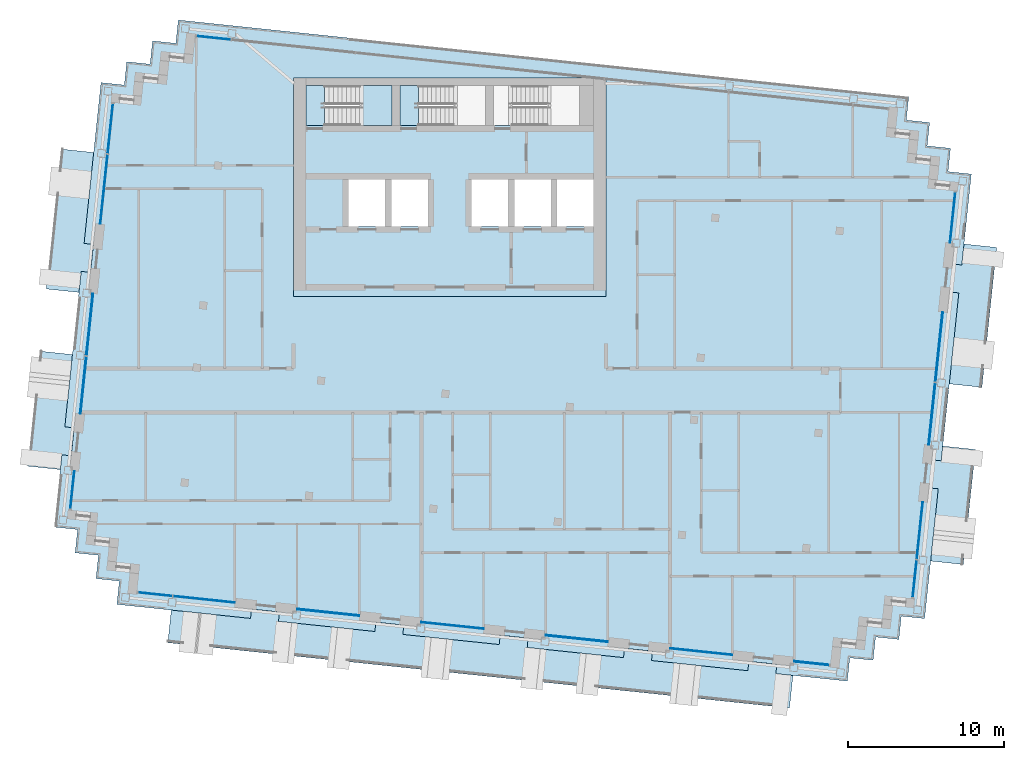
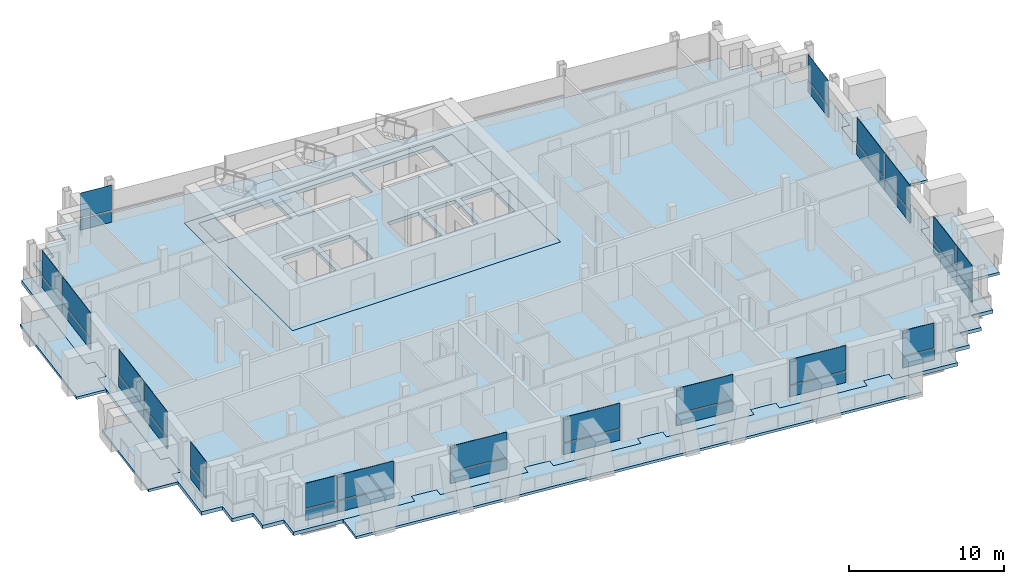
# One storey, part 7 of 17: 36 plates, 10 slabs, 14 elements without a shape of their own.
"""IFC4 building model written with IfcOpenShell, lengths in metres."""

from ifc_helpers import new_model, si_unit, direction, frame, origin, origin_2d, place, context, subcontext, project, spatial, polyline, rectangle, outline, extrude, material, layer, layer_set, type_object, element, aggregate, save


model = new_model("IFC4")

# Units and contexts
model_context = context("Model", 3, precision=1e-05, world=origin(), true_north=direction((0.0, 1.0)))
body_context = subcontext(model_context, "Body", "Model", "MODEL_VIEW")
ifc_project = project(units=[si_unit("LENGTHUNIT", "METRE"), si_unit("AREAUNIT", "SQUARE_METRE"), si_unit("VOLUMEUNIT", "CUBIC_METRE"), si_unit("PLANEANGLEUNIT", "RADIAN"), si_unit("MASSUNIT", "GRAM", prefix="KILO")], contexts=[model_context])

# Site, building, storey
site_placement = place(None, origin())
site = spatial("IfcSite", under=ifc_project, at=site_placement, CompositionType="ELEMENT")
building_placement = place(site_placement, origin())
building = spatial("IfcBuilding", under=site, at=building_placement, Name="Vidyagriha Tower", CompositionType="ELEMENT")
storey_placement = place(building_placement, frame((0.0, 0.0, 265.89990234375)))
storey = spatial("IfcBuildingStorey", under=building, at=storey_placement, Name="L69", CompositionType="ELEMENT", Elevation=265.89990234375)

# Curtain wall, plate
ifc_material_1 = material(Name="Aluminium and glass curtain wall", Category="aluminium")
curtain_wall_type = type_object("IfcCurtainWallType", Name="Dwelling skin unitised curtain wall", PredefinedType="USERDEFINED", material=ifc_material_1)
curtain_wall_1_placement = place(storey_placement, origin())
curtain_wall_1 = element("IfcCurtainWall", 1, at=curtain_wall_1_placement, inside=storey, type_object=curtain_wall_type, Name="CW1 dwelling skin", ObjectType="UNITISED", PredefinedType="USERDEFINED")
ifc_material_2 = material(Name="Glass dark ceramic-fritted spandrel", Category="glass")
ifc_layer_1 = layer(ifc_material_2, 0.0400390625)
ifc_layer_set_1 = layer_set([ifc_layer_1], Name="Glass dark ceramic-fritted spandrel")
plate_type_1 = type_object("IfcPlateType", Name="Ceramic-fritted spandrel panel", PredefinedType="CURTAIN_PANEL", material=ifc_layer_set_1)
plate_1_placement = place(storey_placement, frame((-15.11083984375, 22.56396484375, 0.0), z_axis=(0.0, 0.0, 1.0), x_axis=(-0.994521854435, 0.104528852722, 0.0)))
plate_1 = element("IfcPlate", 2, at=plate_1_placement, type_object=plate_type_1, Name="CW1 panel 7.1", PredefinedType="CURTAIN_PANEL", context=body_context, shape_type="SweptSolid", body=[
    extrude(rectangle(XDim=2.195068359375, YDim=0.0400390625, at=origin_2d()), origin(), (0.0, 0.0, 1.0), 0.85009765625),
])

# Curtain wall, plates
curtain_wall_2_placement = place(storey_placement, origin())
curtain_wall_2 = element("IfcCurtainWall", 3, at=curtain_wall_2_placement, inside=storey, type_object=curtain_wall_type, Name="CW1 dwelling skin", ObjectType="UNITISED", PredefinedType="USERDEFINED")
plate_2_placement = place(storey_placement, frame((-21.7216796875, 16.755615234375, 0.0), z_axis=(0.0, 0.0, 1.0), x_axis=(-0.104525282489, -0.994522229676, 0.0)))
plate_2 = element("IfcPlate", 4, at=plate_2_placement, type_object=plate_type_1, Name="CW1 panel 1.1", PredefinedType="CURTAIN_PANEL", context=body_context, shape_type="SweptSolid", body=[
    extrude(rectangle(XDim=3.195068359375, YDim=0.0400390625, at=origin_2d()), origin(), (0.0, 0.0, 1.0), 0.85009765625),
])
plate_3_placement = place(storey_placement, frame((-22.12939453125, 12.876953125, 0.0), z_axis=(0.0, 0.0, 1.0), x_axis=(-0.104525282489, -0.994522229676, 0.0)))
plate_3 = element("IfcPlate", 5, at=plate_3_placement, type_object=plate_type_1, Name="CW1 panel 2.1", PredefinedType="CURTAIN_PANEL", context=body_context, shape_type="SweptSolid", body=[
    extrude(rectangle(XDim=4.465087890625, YDim=0.0400390625, at=origin_2d()), origin(), (0.0, 0.0, 1.0), 0.85009765625),
])

# Curtain wall, plate
curtain_wall_3_placement = place(storey_placement, origin())
curtain_wall_3 = element("IfcCurtainWall", 6, at=curtain_wall_3_placement, inside=storey, type_object=curtain_wall_type, Name="CW1 dwelling skin", ObjectType="UNITISED", PredefinedType="USERDEFINED")
plate_4_placement = place(storey_placement, frame((-24.151611328125, -6.364501953125, 0.0), z_axis=(0.0, 0.0, 1.0), x_axis=(-0.10451613172, -0.994523191389, 0.0)))
plate_4 = element("IfcPlate", 7, at=plate_4_placement, type_object=plate_type_1, Name="CW1 panel 1.1", PredefinedType="CURTAIN_PANEL", context=body_context, shape_type="SweptSolid", body=[
    extrude(rectangle(XDim=2.43017578125, YDim=0.0400390625, at=origin_2d()), origin(), (0.0, 0.0, 1.0), 0.85009765625),
])

# Curtain wall, plates
curtain_wall_4_placement = place(storey_placement, origin())
curtain_wall_4 = element("IfcCurtainWall", 8, at=curtain_wall_4_placement, inside=storey, type_object=curtain_wall_type, Name="CW1 dwelling skin", ObjectType="UNITISED", PredefinedType="USERDEFINED")
plate_5_placement = place(storey_placement, frame((-18.852783203125, -13.0400390625, 0.0), z_axis=(0.0, 0.0, 1.0), x_axis=(0.994522400055, -0.104523661385, 0.0)))
plate_5 = element("IfcPlate", 9, at=plate_5_placement, type_object=plate_type_1, Name="CW1 panel 1.1", PredefinedType="CURTAIN_PANEL", context=body_context, shape_type="SweptSolid", body=[
    extrude(rectangle(XDim=2.195068359375, YDim=0.0400390625, at=origin_2d()), origin(), (0.0, 0.0, 1.0), 0.85009765625),
])
plate_6_placement = place(storey_placement, frame((-15.72021484375, -13.369384765625, 0.0), z_axis=(0.0, 0.0, 1.0), x_axis=(0.994522400055, -0.104523661385, 0.0)))
plate_6 = element("IfcPlate", 10, at=plate_6_placement, type_object=plate_type_1, Name="CW1 panel 2.1", PredefinedType="CURTAIN_PANEL", context=body_context, shape_type="SweptSolid", body=[
    extrude(rectangle(XDim=3.965087890625, YDim=0.0400390625, at=origin_2d()), origin(), (0.0, 0.0, 1.0), 0.85009765625),
])

# Curtain wall, plate
curtain_wall_5_placement = place(storey_placement, origin())
curtain_wall_5 = element("IfcCurtainWall", 11, at=curtain_wall_5_placement, inside=storey, type_object=curtain_wall_type, Name="CW1 dwelling skin", ObjectType="UNITISED", PredefinedType="USERDEFINED")
plate_7_placement = place(storey_placement, frame((0.1748046875, -15.039794921875, 0.0), z_axis=(0.0, 0.0, 1.0), x_axis=(0.994522016164, -0.104527313963, 0.0)))
plate_7 = element("IfcPlate", 12, at=plate_7_placement, type_object=plate_type_1, Name="CW1 panel 1.1", PredefinedType="CURTAIN_PANEL", context=body_context, shape_type="SweptSolid", body=[
    extrude(rectangle(XDim=4.0, YDim=0.0400390625, at=origin_2d()), origin(), (0.0, 0.0, 1.0), 0.85009765625),
])

curtain_wall_6_placement = place(storey_placement, origin())
curtain_wall_6 = element("IfcCurtainWall", 13, at=curtain_wall_6_placement, inside=storey, type_object=curtain_wall_type, Name="CW1 dwelling skin", ObjectType="UNITISED", PredefinedType="USERDEFINED")
plate_8_placement = place(storey_placement, frame((16.087158203125, -16.71240234375, 0.0), z_axis=(0.0, 0.0, 1.0), x_axis=(0.994522289309, -0.104524715101, 0.0)))
plate_8 = element("IfcPlate", 14, at=plate_8_placement, type_object=plate_type_1, Name="CW1 panel 1.1", PredefinedType="CURTAIN_PANEL", context=body_context, shape_type="SweptSolid", body=[
    extrude(rectangle(XDim=4.0, YDim=0.0400390625, at=origin_2d()), origin(), (0.0, 0.0, 1.0), 0.85009765625),
])

# Curtain wall, plates
curtain_wall_7_placement = place(storey_placement, origin())
curtain_wall_7 = element("IfcCurtainWall", 15, at=curtain_wall_7_placement, inside=storey, type_object=curtain_wall_type, Name="CW1 dwelling skin", ObjectType="UNITISED", PredefinedType="USERDEFINED")
plate_9_placement = place(storey_placement, frame((29.74951171875, -12.04736328125, 0.0), z_axis=(0.0, 0.0, 1.0), x_axis=(0.10453281607, 0.994521437861, 0.0)))
plate_9 = element("IfcPlate", 16, at=plate_9_placement, type_object=plate_type_1, Name="CW1 panel 1.1", PredefinedType="CURTAIN_PANEL", context=body_context, shape_type="SweptSolid", body=[
    extrude(rectangle(XDim=2.39501953125, YDim=0.0400390625, at=origin_2d()), origin(), (0.0, 0.0, 1.0), 0.85009765625),
])
plate_10_placement = place(storey_placement, frame((30.073486328125, -8.96435546875, 0.0), z_axis=(0.0, 0.0, 1.0), x_axis=(0.10453281607, 0.994521437861, 0.0)))
plate_10 = element("IfcPlate", 17, at=plate_10_placement, type_object=plate_type_1, Name="CW1 panel 2.1", PredefinedType="CURTAIN_PANEL", context=body_context, shape_type="SweptSolid", body=[
    extrude(rectangle(XDim=3.6650390625, YDim=0.0400390625, at=origin_2d()), origin(), (0.0, 0.0, 1.0), 0.85009765625),
])

# Curtain wall, plate
curtain_wall_8_placement = place(storey_placement, origin())
curtain_wall_8 = element("IfcCurtainWall", 18, at=curtain_wall_8_placement, inside=storey, type_object=curtain_wall_type, Name="CW1 dwelling skin", ObjectType="UNITISED", PredefinedType="USERDEFINED")
plate_11_placement = place(storey_placement, frame((32.1796875, 11.07275390625, 0.0), z_axis=(0.0, 0.0, 1.0), x_axis=(0.10451599791, 0.994523205451, 0.0)))
plate_11 = element("IfcPlate", 19, at=plate_11_placement, type_object=plate_type_1, Name="CW1 panel 1.1", PredefinedType="CURTAIN_PANEL", context=body_context, shape_type="SweptSolid", body=[
    extrude(rectangle(XDim=3.22998046875, YDim=0.0400390625, at=origin_2d()), origin(), (0.0, 0.0, 1.0), 0.85009765625),
])

# Slab
ifc_material_3 = material(Name="Concrete C60/75", Category="concrete")
ifc_layer_2 = layer(ifc_material_3, 0.280029296875)
ifc_layer_set_2 = layer_set([ifc_layer_2], Name="Concrete C60/75")
slab_type_1 = type_object("IfcSlabType", Name="Core floor slab 280 mm", PredefinedType="FLOOR", material=ifc_layer_set_2)
slab_1_placement = place(storey_placement, frame((0.0, 0.0, -0.27978515625)))
element("IfcSlab", 20, at=slab_1_placement, inside=storey, type_object=slab_type_1, Name="L69 core floor 1", PredefinedType="FLOOR", context=body_context, shape_type="SweptSolid", body=[
    extrude(outline(polyline([(-10.0, 6.0), (-10.0, 20.0), (10.0, 20.0), (10.0, 6.0), (-10.0, 6.0)]), holes=[polyline([(6.86669921875, 13.5), (6.86669921875, 10.5), (9.199951171875, 10.5), (9.199951171875, 13.5), (6.86669921875, 13.5)]), polyline([(4.0, 19.5), (2.800048828125, 19.5), (2.800048828125, 16.949951171875), (4.0, 16.949951171875), (8.300048828125, 16.949951171875), (8.300048828125, 19.5), (4.0, 19.5)]), polyline([(6.466796875, 13.5), (4.13330078125, 13.5), (4.13330078125, 10.5), (6.466796875, 10.5), (6.466796875, 13.5)]), polyline([(3.7333984375, 13.5), (1.39990234375, 13.5), (1.39990234375, 10.5), (3.7333984375, 10.5), (3.7333984375, 13.5)]), polyline([(-2.0, 16.949951171875), (2.300048828125, 16.949951171875), (2.300048828125, 19.5), (-2.0, 19.5), (-3.199951171875, 19.5), (-3.199951171875, 16.949951171875), (-2.0, 16.949951171875)]), polyline([(-3.7333984375, 13.5), (-3.7333984375, 10.5), (-1.39990234375, 10.5), (-1.39990234375, 13.5), (-3.7333984375, 13.5)]), polyline([(-9.199951171875, 19.5), (-9.199951171875, 16.949951171875), (-8.0, 16.949951171875), (-3.699951171875, 16.949951171875), (-3.699951171875, 19.5), (-8.0, 19.5), (-9.199951171875, 19.5)]), polyline([(-6.466796875, 13.5), (-6.466796875, 10.5), (-4.13330078125, 10.5), (-4.13330078125, 13.5), (-6.466796875, 13.5)])]), origin(), (0.0, 0.0, 1.0), 0.27978515625),
])

# Plate
ifc_material_4 = material(Name="Glass dark ceramic-fritted", Category="glass")
ifc_layer_3 = layer(ifc_material_4, 0.028076171875)
ifc_layer_set_3 = layer_set([ifc_layer_3], Name="Glass dark ceramic-fritted")
plate_type_2 = type_object("IfcPlateType", Name="Dark ceramic-fritted vision glass panel", PredefinedType="CURTAIN_PANEL", material=ifc_layer_set_3)
plate_12_placement = place(storey_placement, frame((-15.11083984375, 22.56396484375, 0.9501953125), z_axis=(0.0, 0.0, 1.0), x_axis=(-0.994521854435, 0.104528852722, 0.0)))
plate_12 = element("IfcPlate", 21, at=plate_12_placement, type_object=plate_type_2, Name="CW1 panel 7.2", PredefinedType="CURTAIN_PANEL", context=body_context, shape_type="SweptSolid", body=[
    extrude(rectangle(XDim=2.195068359375, YDim=0.028076171875, at=origin_2d()), origin(), (0.0, 0.0, 1.0), 1.969970703125),
])

aggregate(curtain_wall_1, [plate_1, plate_12])

plate_13_placement = place(storey_placement, frame((-21.7216796875, 16.755615234375, 0.9501953125), z_axis=(0.0, 0.0, 1.0), x_axis=(-0.104525282489, -0.994522229676, 0.0)))
plate_13 = element("IfcPlate", 22, at=plate_13_placement, type_object=plate_type_2, Name="CW1 panel 1.2", PredefinedType="CURTAIN_PANEL", context=body_context, shape_type="SweptSolid", body=[
    extrude(rectangle(XDim=3.195068359375, YDim=0.028076171875, at=origin_2d()), origin(), (0.0, 0.0, 1.0), 1.969970703125),
])

plate_14_placement = place(storey_placement, frame((-22.12939453125, 12.876953125, 0.9501953125), z_axis=(0.0, 0.0, 1.0), x_axis=(-0.104525282489, -0.994522229676, 0.0)))
plate_14 = element("IfcPlate", 23, at=plate_14_placement, type_object=plate_type_2, Name="CW1 panel 2.2", PredefinedType="CURTAIN_PANEL", context=body_context, shape_type="SweptSolid", body=[
    extrude(rectangle(XDim=4.465087890625, YDim=0.028076171875, at=origin_2d()), origin(), (0.0, 0.0, 1.0), 1.969970703125),
])

aggregate(curtain_wall_2, [plate_2, plate_13, plate_3, plate_14])

# Curtain wall, plates
curtain_wall_9_placement = place(storey_placement, origin())
curtain_wall_9 = element("IfcCurtainWall", 24, at=curtain_wall_9_placement, inside=storey, type_object=curtain_wall_type, Name="CW1 dwelling skin", ObjectType="UNITISED", PredefinedType="USERDEFINED")
plate_15_placement = place(storey_placement, frame((-23.040283203125, 4.209716796875, 0.9501953125), z_axis=(0.0, 0.0, 1.0), x_axis=(-0.10453267483, -0.994521452706, 0.0)))
plate_15 = element("IfcPlate", 25, at=plate_15_placement, type_object=plate_type_2, Name="CW1 panel 1.2", PredefinedType="CURTAIN_PANEL", context=body_context, shape_type="SweptSolid", body=[
    extrude(rectangle(XDim=3.965087890625, YDim=0.028076171875, at=origin_2d()), origin(), (0.0, 0.0, 1.0), 1.969970703125),
])
plate_16_placement = place(storey_placement, frame((-23.4462890625, 0.345947265625, 0.9501953125), z_axis=(0.0, 0.0, 1.0), x_axis=(-0.10453267483, -0.994521452706, 0.0)))
plate_16 = element("IfcPlate", 26, at=plate_16_placement, type_object=plate_type_2, Name="CW1 panel 2.2", PredefinedType="CURTAIN_PANEL", context=body_context, shape_type="SweptSolid", body=[
    extrude(rectangle(XDim=3.6650390625, YDim=0.028076171875, at=origin_2d()), origin(), (0.0, 0.0, 1.0), 1.969970703125),
])

# Plate
plate_17_placement = place(storey_placement, frame((-24.151611328125, -6.364501953125, 0.9501953125), z_axis=(0.0, 0.0, 1.0), x_axis=(-0.10451613172, -0.994523191389, 0.0)))
plate_17 = element("IfcPlate", 27, at=plate_17_placement, type_object=plate_type_2, Name="CW1 panel 1.2", PredefinedType="CURTAIN_PANEL", context=body_context, shape_type="SweptSolid", body=[
    extrude(rectangle(XDim=2.43017578125, YDim=0.028076171875, at=origin_2d()), origin(), (0.0, 0.0, 1.0), 1.969970703125),
])

aggregate(curtain_wall_3, [plate_4, plate_17])

plate_18_placement = place(storey_placement, frame((-18.852783203125, -13.0400390625, 0.9501953125), z_axis=(0.0, 0.0, 1.0), x_axis=(0.994522400055, -0.104523661385, 0.0)))
plate_18 = element("IfcPlate", 28, at=plate_18_placement, type_object=plate_type_2, Name="CW1 panel 1.2", PredefinedType="CURTAIN_PANEL", context=body_context, shape_type="SweptSolid", body=[
    extrude(rectangle(XDim=2.195068359375, YDim=0.028076171875, at=origin_2d()), origin(), (0.0, 0.0, 1.0), 1.969970703125),
])

plate_19_placement = place(storey_placement, frame((-15.72021484375, -13.369384765625, 0.9501953125), z_axis=(0.0, 0.0, 1.0), x_axis=(0.994522400055, -0.104523661385, 0.0)))
plate_19 = element("IfcPlate", 29, at=plate_19_placement, type_object=plate_type_2, Name="CW1 panel 2.2", PredefinedType="CURTAIN_PANEL", context=body_context, shape_type="SweptSolid", body=[
    extrude(rectangle(XDim=3.965087890625, YDim=0.028076171875, at=origin_2d()), origin(), (0.0, 0.0, 1.0), 1.969970703125),
])

aggregate(curtain_wall_4, [plate_5, plate_18, plate_6, plate_19])

# Curtain wall, plate
curtain_wall_10_placement = place(storey_placement, origin())
curtain_wall_10 = element("IfcCurtainWall", 30, at=curtain_wall_10_placement, inside=storey, type_object=curtain_wall_type, Name="CW1 dwelling skin", ObjectType="UNITISED", PredefinedType="USERDEFINED")
plate_20_placement = place(storey_placement, frame((-7.78125, -14.20361328125, 0.9501953125), z_axis=(0.0, 0.0, 1.0), x_axis=(0.994519690211, -0.104549441808, 0.0)))
plate_20 = element("IfcPlate", 31, at=plate_20_placement, type_object=plate_type_2, Name="CW1 panel 1.2", PredefinedType="CURTAIN_PANEL", context=body_context, shape_type="SweptSolid", body=[
    extrude(rectangle(XDim=4.0, YDim=0.028076171875, at=origin_2d()), origin(), (0.0, 0.0, 1.0), 1.969970703125),
])

# Plate
plate_21_placement = place(storey_placement, frame((0.1748046875, -15.039794921875, 0.9501953125), z_axis=(0.0, 0.0, 1.0), x_axis=(0.994522016164, -0.104527313963, 0.0)))
plate_21 = element("IfcPlate", 32, at=plate_21_placement, type_object=plate_type_2, Name="CW1 panel 1.2", PredefinedType="CURTAIN_PANEL", context=body_context, shape_type="SweptSolid", body=[
    extrude(rectangle(XDim=4.0, YDim=0.028076171875, at=origin_2d()), origin(), (0.0, 0.0, 1.0), 1.969970703125),
])

aggregate(curtain_wall_5, [plate_7, plate_21])

# Curtain wall, plate
curtain_wall_11_placement = place(storey_placement, origin())
curtain_wall_11 = element("IfcCurtainWall", 33, at=curtain_wall_11_placement, inside=storey, type_object=curtain_wall_type, Name="CW1 dwelling skin", ObjectType="UNITISED", PredefinedType="USERDEFINED")
plate_22_placement = place(storey_placement, frame((8.131103515625, -15.876220703125, 0.9501953125), z_axis=(0.0, 0.0, 1.0), x_axis=(0.994522289309, -0.104524715101, 0.0)))
plate_22 = element("IfcPlate", 34, at=plate_22_placement, type_object=plate_type_2, Name="CW1 panel 1.2", PredefinedType="CURTAIN_PANEL", context=body_context, shape_type="SweptSolid", body=[
    extrude(rectangle(XDim=4.0, YDim=0.028076171875, at=origin_2d()), origin(), (0.0, 0.0, 1.0), 1.969970703125),
])

# Plate
plate_23_placement = place(storey_placement, frame((16.087158203125, -16.71240234375, 0.9501953125), z_axis=(0.0, 0.0, 1.0), x_axis=(0.994522289309, -0.104524715101, 0.0)))
plate_23 = element("IfcPlate", 35, at=plate_23_placement, type_object=plate_type_2, Name="CW1 panel 1.2", PredefinedType="CURTAIN_PANEL", context=body_context, shape_type="SweptSolid", body=[
    extrude(rectangle(XDim=4.0, YDim=0.028076171875, at=origin_2d()), origin(), (0.0, 0.0, 1.0), 1.969970703125),
])

aggregate(curtain_wall_6, [plate_8, plate_23])

# Curtain wall, plate
curtain_wall_12_placement = place(storey_placement, origin())
curtain_wall_12 = element("IfcCurtainWall", 36, at=curtain_wall_12_placement, inside=storey, type_object=curtain_wall_type, Name="CW1 dwelling skin", ObjectType="UNITISED", PredefinedType="USERDEFINED")
plate_24_placement = place(storey_placement, frame((23.1630859375, -17.4560546875, 0.9501953125), z_axis=(0.0, 0.0, 1.0), x_axis=(0.994522592653, -0.10452182883, 0.0)))
plate_24 = element("IfcPlate", 37, at=plate_24_placement, type_object=plate_type_2, Name="CW1 panel 1.2", PredefinedType="CURTAIN_PANEL", context=body_context, shape_type="SweptSolid", body=[
    extrude(rectangle(XDim=2.22998046875, YDim=0.028076171875, at=origin_2d()), origin(), (0.0, 0.0, 1.0), 1.969970703125),
])

# Plate
plate_25_placement = place(storey_placement, frame((29.74951171875, -12.04736328125, 0.9501953125), z_axis=(0.0, 0.0, 1.0), x_axis=(0.10453281607, 0.994521437861, 0.0)))
plate_25 = element("IfcPlate", 38, at=plate_25_placement, type_object=plate_type_2, Name="CW1 panel 1.2", PredefinedType="CURTAIN_PANEL", context=body_context, shape_type="SweptSolid", body=[
    extrude(rectangle(XDim=2.39501953125, YDim=0.028076171875, at=origin_2d()), origin(), (0.0, 0.0, 1.0), 1.969970703125),
])

plate_26_placement = place(storey_placement, frame((30.073486328125, -8.96435546875, 0.9501953125), z_axis=(0.0, 0.0, 1.0), x_axis=(0.10453281607, 0.994521437861, 0.0)))
plate_26 = element("IfcPlate", 39, at=plate_26_placement, type_object=plate_type_2, Name="CW1 panel 2.2", PredefinedType="CURTAIN_PANEL", context=body_context, shape_type="SweptSolid", body=[
    extrude(rectangle(XDim=3.6650390625, YDim=0.028076171875, at=origin_2d()), origin(), (0.0, 0.0, 1.0), 1.969970703125),
])

aggregate(curtain_wall_7, [plate_9, plate_25, plate_10, plate_26])

# Curtain wall, plates
curtain_wall_13_placement = place(storey_placement, origin())
curtain_wall_13 = element("IfcCurtainWall", 40, at=curtain_wall_13_placement, inside=storey, type_object=curtain_wall_type, Name="CW1 dwelling skin", ObjectType="UNITISED", PredefinedType="USERDEFINED")
plate_27_placement = place(storey_placement, frame((30.859130859375, -1.490478515625, 0.9501953125), z_axis=(0.0, 0.0, 1.0), x_axis=(0.104529843047, 0.994521750347, 0.0)))
plate_27 = element("IfcPlate", 41, at=plate_27_placement, type_object=plate_type_2, Name="CW1 panel 1.2", PredefinedType="CURTAIN_PANEL", context=body_context, shape_type="SweptSolid", body=[
    extrude(rectangle(XDim=3.965087890625, YDim=0.028076171875, at=origin_2d()), origin(), (0.0, 0.0, 1.0), 1.969970703125),
])
plate_28_placement = place(storey_placement, frame((31.306884765625, 2.77099609375, 0.9501953125), z_axis=(0.0, 0.0, 1.0), x_axis=(0.104529843047, 0.994521750347, 0.0)))
plate_28 = element("IfcPlate", 42, at=plate_28_placement, type_object=plate_type_2, Name="CW1 panel 2.2", PredefinedType="CURTAIN_PANEL", context=body_context, shape_type="SweptSolid", body=[
    extrude(rectangle(XDim=4.465087890625, YDim=0.028076171875, at=origin_2d()), origin(), (0.0, 0.0, 1.0), 1.969970703125),
])

# Plate
plate_29_placement = place(storey_placement, frame((32.1796875, 11.07275390625, 0.9501953125), z_axis=(0.0, 0.0, 1.0), x_axis=(0.10451599791, 0.994523205451, 0.0)))
plate_29 = element("IfcPlate", 43, at=plate_29_placement, type_object=plate_type_2, Name="CW1 panel 1.2", PredefinedType="CURTAIN_PANEL", context=body_context, shape_type="SweptSolid", body=[
    extrude(rectangle(XDim=3.22998046875, YDim=0.028076171875, at=origin_2d()), origin(), (0.0, 0.0, 1.0), 1.969970703125),
])

aggregate(curtain_wall_8, [plate_11, plate_29])

# Slabs
ifc_material_5 = material(Name="Concrete C40/50", Category="concrete")
ifc_layer_4 = layer(ifc_material_5, 0.280029296875)
ifc_layer_set_4 = layer_set([ifc_layer_4], Name="Concrete C40/50")
slab_type_2 = type_object("IfcSlabType", Name="Exit stair floor landing 280 mm", PredefinedType="LANDING", material=ifc_layer_set_4)
slab_2_placement = place(storey_placement, frame((0.0, 0.0, -0.27978515625)))
element("IfcSlab", 44, at=slab_2_placement, inside=storey, type_object=slab_type_2, Name="ST1 floor landing L69", PredefinedType="LANDING", context=body_context, shape_type="SweptSolid", body=[
    extrude(outline(polyline([(-9.199951171875, 16.949951171875), (-8.0, 16.949951171875), (-8.0, 19.5), (-9.199951171875, 19.5), (-9.199951171875, 16.949951171875)])), origin(), (0.0, 0.0, 1.0), 0.27978515625),
])
slab_3_placement = place(storey_placement, frame((0.0, 0.0, -0.27978515625)))
element("IfcSlab", 45, at=slab_3_placement, inside=storey, type_object=slab_type_2, Name="ST2 floor landing L69", PredefinedType="LANDING", context=body_context, shape_type="SweptSolid", body=[
    extrude(outline(polyline([(-3.199951171875, 16.949951171875), (-2.0, 16.949951171875), (-2.0, 19.5), (-3.199951171875, 19.5), (-3.199951171875, 16.949951171875)])), origin(), (0.0, 0.0, 1.0), 0.27978515625),
])

# Stair, slab
ifc_material_6 = material(Name="Concrete C40/50", Category="concrete")
stair_type = type_object("IfcStairType", Name="Exit stair, half-turn, precast flights", PredefinedType="HALF_TURN_STAIR", material=ifc_material_6)
stair_placement = place(storey_placement, origin())
stair = element("IfcStair", 46, at=stair_placement, inside=storey, type_object=stair_type, Name="L69 Exit Stair ST1", PredefinedType="HALF_TURN_STAIR")
ifc_material_7 = material(Name="Concrete C40/50", Category="concrete")
ifc_layer_5 = layer(ifc_material_7, 0.199951171875)
ifc_layer_set_5 = layer_set([ifc_layer_5], Name="Concrete C40/50")
slab_type_3 = type_object("IfcSlabType", Name="Exit stair landing 200 mm", PredefinedType="LANDING", material=ifc_layer_set_5)
slab_4_placement = place(storey_placement, frame((0.0, 0.0, 1.400146484375)))
slab_4 = element("IfcSlab", 47, at=slab_4_placement, type_object=slab_type_3, Name="ST1 landing 1", PredefinedType="LANDING", context=body_context, shape_type="SweptSolid", body=[
    extrude(outline(polyline([(-5.760009765625, 16.949951171875), (-3.699951171875, 16.949951171875), (-3.699951171875, 19.5), (-5.760009765625, 19.5), (-5.760009765625, 16.949951171875)])), origin(), (0.0, 0.0, 1.0), 0.199951171875),
])
aggregate(stair, [slab_4])

# Plate
ifc_material_8 = material(Name="Aluminium black anodised", Category="aluminium")
ifc_layer_6 = layer(ifc_material_8, 0.06005859375)
ifc_layer_set_6 = layer_set([ifc_layer_6], Name="Aluminium black anodised")
plate_type_3 = type_object("IfcPlateType", Name="Operable black-metal vent panel", PredefinedType="CURTAIN_PANEL", material=ifc_layer_set_6)
plate_30_placement = place(storey_placement, frame((-23.040283203125, 4.209716796875, 0.0), z_axis=(0.0, 0.0, 1.0), x_axis=(-0.10453267483, -0.994521452706, 0.0)))
plate_30 = element("IfcPlate", 48, at=plate_30_placement, type_object=plate_type_3, Name="CW1 panel 1.1", PredefinedType="CURTAIN_PANEL", context=body_context, shape_type="SweptSolid", body=[
    extrude(rectangle(XDim=3.965087890625, YDim=0.06005859375, at=origin_2d()), origin(), (0.0, 0.0, 1.0), 0.85009765625),
])

plate_31_placement = place(storey_placement, frame((-23.4462890625, 0.345947265625, 0.0), z_axis=(0.0, 0.0, 1.0), x_axis=(-0.10453267483, -0.994521452706, 0.0)))
plate_31 = element("IfcPlate", 49, at=plate_31_placement, type_object=plate_type_3, Name="CW1 panel 2.1", PredefinedType="CURTAIN_PANEL", context=body_context, shape_type="SweptSolid", body=[
    extrude(rectangle(XDim=3.6650390625, YDim=0.06005859375, at=origin_2d()), origin(), (0.0, 0.0, 1.0), 0.85009765625),
])

aggregate(curtain_wall_9, [plate_30, plate_15, plate_31, plate_16])

plate_32_placement = place(storey_placement, frame((-7.78125, -14.20361328125, 0.0), z_axis=(0.0, 0.0, 1.0), x_axis=(0.994519690211, -0.104549441808, 0.0)))
plate_32 = element("IfcPlate", 50, at=plate_32_placement, type_object=plate_type_3, Name="CW1 panel 1.1", PredefinedType="CURTAIN_PANEL", context=body_context, shape_type="SweptSolid", body=[
    extrude(rectangle(XDim=4.0, YDim=0.06005859375, at=origin_2d()), origin(), (0.0, 0.0, 1.0), 0.85009765625),
])

aggregate(curtain_wall_10, [plate_32, plate_20])

plate_33_placement = place(storey_placement, frame((8.131103515625, -15.876220703125, 0.0), z_axis=(0.0, 0.0, 1.0), x_axis=(0.994522289309, -0.104524715101, 0.0)))
plate_33 = element("IfcPlate", 51, at=plate_33_placement, type_object=plate_type_3, Name="CW1 panel 1.1", PredefinedType="CURTAIN_PANEL", context=body_context, shape_type="SweptSolid", body=[
    extrude(rectangle(XDim=4.0, YDim=0.06005859375, at=origin_2d()), origin(), (0.0, 0.0, 1.0), 0.85009765625),
])

aggregate(curtain_wall_11, [plate_33, plate_22])

plate_34_placement = place(storey_placement, frame((23.1630859375, -17.4560546875, 0.0), z_axis=(0.0, 0.0, 1.0), x_axis=(0.994522592653, -0.10452182883, 0.0)))
plate_34 = element("IfcPlate", 52, at=plate_34_placement, type_object=plate_type_3, Name="CW1 panel 1.1", PredefinedType="CURTAIN_PANEL", context=body_context, shape_type="SweptSolid", body=[
    extrude(rectangle(XDim=2.22998046875, YDim=0.06005859375, at=origin_2d()), origin(), (0.0, 0.0, 1.0), 0.85009765625),
])

aggregate(curtain_wall_12, [plate_34, plate_24])

plate_35_placement = place(storey_placement, frame((30.859130859375, -1.490478515625, 0.0), z_axis=(0.0, 0.0, 1.0), x_axis=(0.104529843047, 0.994521750347, 0.0)))
plate_35 = element("IfcPlate", 53, at=plate_35_placement, type_object=plate_type_3, Name="CW1 panel 1.1", PredefinedType="CURTAIN_PANEL", context=body_context, shape_type="SweptSolid", body=[
    extrude(rectangle(XDim=3.965087890625, YDim=0.06005859375, at=origin_2d()), origin(), (0.0, 0.0, 1.0), 0.85009765625),
])

plate_36_placement = place(storey_placement, frame((31.306884765625, 2.77099609375, 0.0), z_axis=(0.0, 0.0, 1.0), x_axis=(0.104529843047, 0.994521750347, 0.0)))
plate_36 = element("IfcPlate", 54, at=plate_36_placement, type_object=plate_type_3, Name="CW1 panel 2.1", PredefinedType="CURTAIN_PANEL", context=body_context, shape_type="SweptSolid", body=[
    extrude(rectangle(XDim=4.465087890625, YDim=0.06005859375, at=origin_2d()), origin(), (0.0, 0.0, 1.0), 0.85009765625),
])

aggregate(curtain_wall_13, [plate_35, plate_27, plate_36, plate_28])

# Slabs
ifc_material_9 = material(Name="Concrete C50/60", Category="concrete")
ifc_layer_7 = layer(ifc_material_9, 0.280029296875)
ifc_layer_set_7 = layer_set([ifc_layer_7], Name="Concrete C50/60")
slab_type_4 = type_object("IfcSlabType", Name="Post-tensioned flat plate 280", PredefinedType="FLOOR", material=ifc_layer_set_7)
slab_5_placement = place(storey_placement, frame((0.0, 0.0, -0.27978515625)))
element("IfcSlab", 55, at=slab_5_placement, inside=storey, type_object=slab_type_4, Name="st-slab-L69-1", PredefinedType="FLOOR", context=body_context, shape_type="SweptSolid", body=[
    extrude(outline(polyline([(28.738037109375, -15.930419921875), (27.246337890625, -15.773681640625), (27.089599609375, -17.265380859375), (25.597900390625, -17.108642578125), (25.44091796875, -18.600341796875), (20.8662109375, -18.11962890625), (20.928955078125, -17.52294921875), (19.138916015625, -17.334716796875), (19.076171875, -17.931396484375), (12.91015625, -17.283447265625), (12.972900390625, -16.686767578125), (11.1826171875, -16.49853515625), (11.119873046875, -17.09521484375), (4.953857421875, -16.447265625), (5.0166015625, -15.8505859375), (3.226318359375, -15.662353515625), (3.163818359375, -16.259033203125), (-3.002197265625, -15.61083984375), (-2.939453125, -15.014404296875), (-4.729736328125, -14.826171875), (-4.79248046875, -15.4228515625), (-10.95849609375, -14.774658203125), (-10.895751953125, -14.177978515625), (-12.685791015625, -13.98974609375), (-12.74853515625, -14.586669921875), (-21.301513671875, -13.6875), (-21.144775390625, -12.19580078125), (-22.636474609375, -12.0390625), (-22.479736328125, -10.547119140625), (-23.971435546875, -10.390380859375), (-23.814697265625, -8.898681640625), (-25.306396484375, -8.741943359375), (-24.8203125, -4.1171875), (-24.223876953125, -4.179931640625), (-24.03564453125, -2.389892578125), (-24.63232421875, -2.3271484375), (-23.5869140625, 7.617919921875), (-22.990234375, 7.555419921875), (-22.80224609375, 9.345458984375), (-23.39892578125, 9.408203125), (-22.31689453125, 19.701416015625), (-20.8251953125, 19.544677734375), (-20.66845703125, 21.036376953125), (-19.176513671875, 20.879638671875), (-19.019775390625, 22.371337890625), (-17.528076171875, 22.214599609375), (-17.371337890625, 23.706298828125), (29.371337890625, 18.793701171875), (29.214599609375, 17.3017578125), (30.706298828125, 17.14501953125), (30.549560546875, 15.6533203125), (32.041259765625, 15.496337890625), (31.884521484375, 14.004638671875), (33.376220703125, 13.847900390625), (32.7646484375, 8.02978515625), (32.16796875, 8.092529296875), (31.97998046875, 6.302490234375), (32.57666015625, 6.23974609375), (31.44775390625, -4.501220703125), (30.85107421875, -4.4384765625), (30.662841796875, -6.228515625), (31.259521484375, -6.291259765625), (30.38671875, -14.595458984375), (28.89501953125, -14.438720703125), (28.738037109375, -15.930419921875)]), holes=[polyline([(-10.0, 20.0), (-10.0, 6.0), (10.0, 6.0), (10.0, 20.0), (-10.0, 20.0)])]), origin(), (0.0, 0.0, 1.0), 0.27978515625),
])
ifc_material_10 = material(Name="Precast concrete C40/50", Category="concrete")
ifc_layer_8 = layer(ifc_material_10, 0.199951171875)
ifc_layer_set_8 = layer_set([ifc_layer_8], Name="Precast concrete C40/50")
slab_type_5 = type_object("IfcSlabType", Name="Precast balcony slab 200", PredefinedType="USERDEFINED", material=ifc_layer_set_8)
slab_6_placement = place(storey_placement, frame((0.0, 0.0, -0.199951171875)))
element("IfcSlab", 56, at=slab_6_placement, inside=storey, type_object=slab_type_5, Name="Balcony slab L69 R14.1-1", ObjectType="BALCONY", PredefinedType="USERDEFINED", context=body_context, shape_type="SweptSolid", body=[
    extrude(outline(polyline([(-22.990234375, 7.555419921875), (-22.80224609375, 9.345458984375), (-23.39892578125, 9.408203125), (-22.787353515625, 15.226318359375), (-24.8759765625, 15.44580078125), (-25.816650390625, 6.4951171875), (-23.728271484375, 6.275390625), (-23.587158203125, 7.617919921875), (-22.990234375, 7.555419921875)])), origin(), (0.0, 0.0, 1.0), 0.199951171875),
])
slab_7_placement = place(storey_placement, frame((0.0, 0.0, -0.199951171875)))
element("IfcSlab", 57, at=slab_7_placement, inside=storey, type_object=slab_type_5, Name="Balcony slab L69 R14.2-2", ObjectType="BALCONY", PredefinedType="USERDEFINED", context=body_context, shape_type="SweptSolid", body=[
    extrude(outline(polyline([(-24.223876953125, -4.179931640625), (-24.03564453125, -2.389892578125), (-24.63232421875, -2.3271484375), (-24.146240234375, 2.29736328125), (-26.23486328125, 2.516845703125), (-27.00830078125, -4.842529296875), (-24.919921875, -5.06201171875), (-24.820556640625, -4.1171875), (-24.223876953125, -4.179931640625)])), origin(), (0.0, 0.0, 1.0), 0.199951171875),
])
slab_8_placement = place(storey_placement, frame((0.0, 0.0, -0.199951171875)))
element("IfcSlab", 58, at=slab_8_placement, inside=storey, type_object=slab_type_5, Name="Balcony slab L69 R21.1-5", ObjectType="BALCONY", PredefinedType="USERDEFINED", context=body_context, shape_type="SweptSolid", body=[
    extrude(outline(polyline([(20.8662109375, -18.11962890625), (20.928955078125, -17.52294921875), (19.138916015625, -17.334716796875), (19.076171875, -17.931396484375), (12.91015625, -17.283447265625), (12.972900390625, -16.686767578125), (11.1826171875, -16.49853515625), (11.119873046875, -17.09521484375), (4.953857421875, -16.447265625), (5.0166015625, -15.8505859375), (3.226318359375, -15.662353515625), (3.163818359375, -16.259033203125), (-3.002197265625, -15.611083984375), (-2.939453125, -15.014404296875), (-4.729736328125, -14.826171875), (-4.79248046875, -15.4228515625), (-10.95849609375, -14.774658203125), (-10.895751953125, -14.177978515625), (-12.685791015625, -13.98974609375), (-12.74853515625, -14.586669921875), (-17.82080078125, -14.053466796875), (-18.040283203125, -16.14208984375), (21.74072265625, -20.322998046875), (21.960205078125, -18.234619140625), (20.8662109375, -18.11962890625)])), origin(), (0.0, 0.0, 1.0), 0.199951171875),
])
slab_9_placement = place(storey_placement, frame((0.0, 0.0, -0.199951171875)))
element("IfcSlab", 59, at=slab_9_placement, inside=storey, type_object=slab_type_5, Name="Balcony slab L69 R28.1-1", ObjectType="BALCONY", PredefinedType="USERDEFINED", context=body_context, shape_type="SweptSolid", body=[
    extrude(outline(polyline([(31.259521484375, -6.291259765625), (30.7734375, -10.915771484375), (32.862060546875, -11.13525390625), (33.635498046875, -3.77587890625), (31.547119140625, -3.556396484375), (31.44775390625, -4.501220703125), (30.85107421875, -4.4384765625), (30.662841796875, -6.228515625), (31.259521484375, -6.291259765625)])), origin(), (0.0, 0.0, 1.0), 0.199951171875),
])
slab_10_placement = place(storey_placement, frame((0.0, 0.0, -0.199951171875)))
element("IfcSlab", 60, at=slab_10_placement, inside=storey, type_object=slab_type_5, Name="Balcony slab L69 R28.2-2", ObjectType="BALCONY", PredefinedType="USERDEFINED", context=body_context, shape_type="SweptSolid", body=[
    extrude(outline(polyline([(32.57666015625, 6.23974609375), (31.965087890625, 0.421875), (34.0537109375, 0.202392578125), (34.994384765625, 9.153076171875), (32.906005859375, 9.37255859375), (32.764892578125, 8.02978515625), (32.16796875, 8.092529296875), (31.97998046875, 6.302490234375), (32.57666015625, 6.23974609375)])), origin(), (0.0, 0.0, 1.0), 0.199951171875),
])

save(model, "model.ifc")
